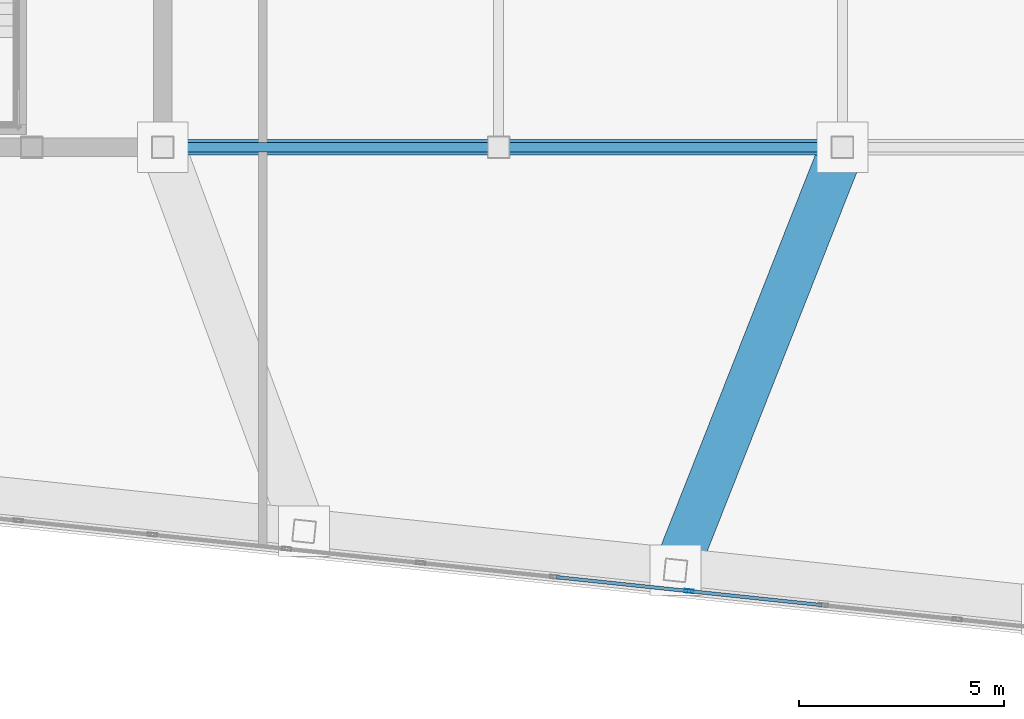
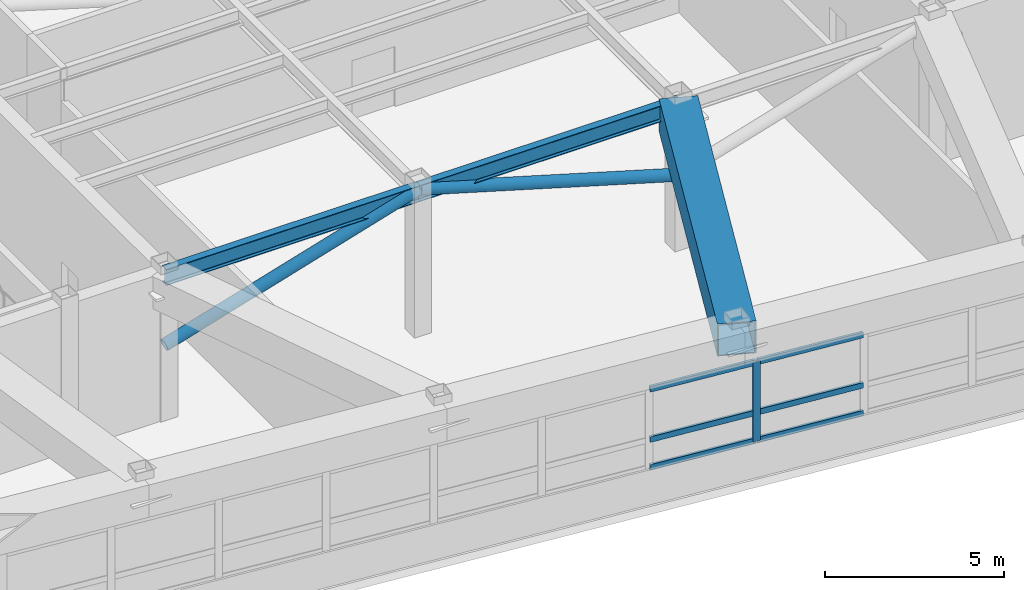
# One storey, part 5 of 23: 9 members, 3 beams, 1 element without a shape of its own.
"""IFC4 building model written with IfcOpenShell, lengths in metres."""

from ifc_helpers import new_model, si_unit, direction, frame, origin, origin_2d, place, context, subcontext, project, spatial, hollow_rectangle, hollow_circle, i_section, extrude, material, layer, layer_set, material_profile, profile_set, type_object, element, aggregate, save


model = new_model("IFC4")

# Units and contexts
model_context = context("Model", 3, precision=1e-05, world=origin(), true_north=direction((0.0, 1.0)))
body_context = subcontext(model_context, "Body", "Model", "MODEL_VIEW")
ifc_project = project(units=[si_unit("LENGTHUNIT", "METRE"), si_unit("AREAUNIT", "SQUARE_METRE"), si_unit("VOLUMEUNIT", "CUBIC_METRE"), si_unit("PLANEANGLEUNIT", "RADIAN"), si_unit("MASSUNIT", "GRAM", prefix="KILO")], contexts=[model_context])

# Site, building, storey
site_placement = place(None, origin())
site = spatial("IfcSite", under=ifc_project, at=site_placement, CompositionType="ELEMENT")
building_placement = place(site_placement, origin())
building = spatial("IfcBuilding", under=site, at=building_placement, Name="Voryun Gate Residences", CompositionType="ELEMENT")
storey_placement = place(building_placement, frame((0.0, 0.0, 316.0)))
storey = spatial("IfcBuildingStorey", under=building, at=storey_placement, Name="L78", CompositionType="ELEMENT", Elevation=316.0)

# Beams
ifc_material_1 = material(Name="Steel SM420", Category="steel")
ifc_material_profile_1 = material_profile(ifc_material_1, hollow_rectangle(XDim=1.10009765625, YDim=1.10009765625, WallThickness=0.035888671875, at=origin_2d()), Name="BOX-1100x1100x36")
ifc_profile_set_1 = profile_set([ifc_material_profile_1], Name="Steel SM420")
beam_type_1 = type_object("IfcBeamType", Name="BM_ARCH_RIB", PredefinedType="USERDEFINED", material=ifc_profile_set_1)
beam_1_placement = place(storey_placement, frame((4.199951171875, -7.39990234375, 4.47509765625), z_axis=(-0.367188053127, -0.930146726942, 0.0), x_axis=(0.930146726942, -0.367188053127, 0.0)))
element("IfcBeam", 1, at=beam_1_placement, inside=storey, type_object=beam_type_1, Name="BM-L78-RAD-S4", ObjectType="GIRDER", PredefinedType="USERDEFINED", context=body_context, shape_type="SweptSolid", body=[
    extrude(hollow_rectangle(XDim=1.10009765625, YDim=1.10009765625, WallThickness=0.035888671875, at=origin_2d()), origin(), (0.0, 0.0, 1.0), 11.107666015625),
])
ifc_material_2 = material(Name="Steel SM355", Category="steel")
ifc_material_profile_2 = material_profile(ifc_material_2, i_section(OverallWidth=0.239990234375, OverallDepth=0.550048828125, WebThickness=0.011962890625, FlangeThickness=0.02001953125, FilletRadius=0.01806640625, at=origin_2d()), Name="H-550x240x12x20")
ifc_profile_set_2 = profile_set([ifc_material_profile_2], Name="Steel SM355")
beam_type_2 = type_object("IfcBeamType", Name="BM_GIRD_550", PredefinedType="USERDEFINED", material=ifc_profile_set_2)
beam_2_placement = place(storey_placement, frame((-12.39990234375, -7.39990234375, 4.75), z_axis=(1.0, 0.0, 0.0), x_axis=(0.0, 1.0, 0.0)))
element("IfcBeam", 2, at=beam_2_placement, inside=storey, type_object=beam_type_2, Name="BM-L78-SPG1-S", ObjectType="GIRDER", PredefinedType="USERDEFINED", context=body_context, shape_type="SweptSolid", body=[
    extrude(i_section(OverallWidth=0.239990234375, OverallDepth=0.550048828125, WebThickness=0.011962890625, FlangeThickness=0.02001953125, FilletRadius=0.01806640625, at=origin_2d()), origin(), (0.0, 0.0, 1.0), 8.199951171875),
])
beam_3_placement = place(storey_placement, frame((-4.199951171875, -7.39990234375, 4.75), z_axis=(1.0, 0.0, 0.0), x_axis=(0.0, 1.0, 0.0)))
element("IfcBeam", 3, at=beam_3_placement, inside=storey, type_object=beam_type_2, Name="BM-L78-SPG2-S", ObjectType="GIRDER", PredefinedType="USERDEFINED", context=body_context, shape_type="SweptSolid", body=[
    extrude(i_section(OverallWidth=0.239990234375, OverallDepth=0.550048828125, WebThickness=0.011962890625, FlangeThickness=0.02001953125, FilletRadius=0.01806640625, at=origin_2d()), origin(), (0.0, 0.0, 1.0), 8.39990234375),
])

# Curtain wall, members
ifc_material_3 = material(Name="Anodised aluminium", Category="aluminium")
ifc_layer = layer(ifc_material_3, 0.22998046875, Name="CW_SYS_LANTERN_DARK_GLASS")
ifc_layer_set = layer_set([ifc_layer], Name="Anodised aluminium")
curtain_wall_type = type_object("IfcCurtainWallType", Name="CW_SYS_LANTERN_DARK_GLASS", PredefinedType="NOTDEFINED", material=ifc_layer_set)
curtain_wall_placement = place(storey_placement, origin())
curtain_wall = element("IfcCurtainWall", 4, at=curtain_wall_placement, inside=storey, type_object=curtain_wall_type, Name="Curtain wall CW6-L78-01", PredefinedType="NOTDEFINED")
ifc_material_4 = material(Name="Anodised aluminium", Category="aluminium")
ifc_material_profile_3 = material_profile(ifc_material_4, hollow_rectangle(XDim=0.0849609375, YDim=0.22998046875, WallThickness=0.006103515625, at=origin_2d()), Name="ALU-MULL-230x85x6")
ifc_profile_set_3 = profile_set([ifc_material_profile_3], Name="Anodised aluminium")
member_type_1 = type_object("IfcMemberType", Name="CW_MULL_LANT", PredefinedType="MULLION", material=ifc_profile_set_3)
member_1_placement = place(storey_placement, frame((0.452392578125, -18.239013671875, 1.18994140625), z_axis=(0.0, 0.0, 1.0), x_axis=(-0.10452775858, -0.994521969434, 0.0)))
member_1 = element("IfcMember", 5, at=member_1_placement, type_object=member_type_1, Name="CW6 mullion 6", PredefinedType="MULLION", context=body_context, shape_type="SweptSolid", body=[
    extrude(hollow_rectangle(XDim=0.0849609375, YDim=0.22998046875, WallThickness=0.006103515625, at=origin_2d()), origin(), (0.0, 0.0, 1.0), 2.72509765625),
])
ifc_material_5 = material(Name="Anodised aluminium", Category="aluminium")
ifc_material_profile_4 = material_profile(ifc_material_5, hollow_rectangle(XDim=0.0849609375, YDim=0.18994140625, WallThickness=0.006103515625, at=origin_2d()), Name="ALU-TRAN-190x85x6")
ifc_profile_set_4 = profile_set([ifc_material_profile_4], Name="Anodised aluminium")
member_type_2 = type_object("IfcMemberType", Name="CW_TRAN_LANT", PredefinedType="USERDEFINED", material=ifc_profile_set_4)
member_2_placement = place(storey_placement, frame((3.698974609375, -18.580322265625, 1.219970703125), z_axis=(-0.994520745033, 0.104539407398, 0.0), x_axis=(-0.104539407398, -0.994520745033, 0.0)))
member_2 = element("IfcMember", 6, at=member_2_placement, type_object=member_type_2, Name="CW6 transom 5.1", ObjectType="TRANSOM", PredefinedType="USERDEFINED", context=body_context, shape_type="SweptSolid", body=[
    extrude(hollow_rectangle(XDim=0.0849609375, YDim=0.18994140625, WallThickness=0.006103515625, at=origin_2d()), origin(), (0.0, 0.0, 1.0), 3.234619140625),
])
member_3_placement = place(storey_placement, frame((3.698974609375, -18.580322265625, 2.1708984375), z_axis=(-0.994520745033, 0.104539407398, 0.0), x_axis=(-0.104539407398, -0.994520745033, 0.0)))
member_3 = element("IfcMember", 7, at=member_3_placement, type_object=member_type_2, Name="CW6 transom 5.2", ObjectType="TRANSOM", PredefinedType="USERDEFINED", context=body_context, shape_type="SweptSolid", body=[
    extrude(hollow_rectangle(XDim=0.0849609375, YDim=0.18994140625, WallThickness=0.006103515625, at=origin_2d()), origin(), (0.0, 0.0, 1.0), 3.234619140625),
])
member_4_placement = place(storey_placement, frame((3.698974609375, -18.580322265625, 3.885009765625), z_axis=(-0.994520745033, 0.104539407398, 0.0), x_axis=(-0.104539407398, -0.994520745033, 0.0)))
member_4 = element("IfcMember", 8, at=member_4_placement, type_object=member_type_2, Name="CW6 transom 5.3", ObjectType="TRANSOM", PredefinedType="USERDEFINED", context=body_context, shape_type="SweptSolid", body=[
    extrude(hollow_rectangle(XDim=0.0849609375, YDim=0.18994140625, WallThickness=0.006103515625, at=origin_2d()), origin(), (0.0, 0.0, 1.0), 3.234619140625),
])
member_5_placement = place(storey_placement, frame((0.42236328125, -18.23583984375, 1.219970703125), z_axis=(-0.994520745033, 0.104539407398, 0.0), x_axis=(-0.104539407398, -0.994520745033, 0.0)))
member_5 = element("IfcMember", 9, at=member_5_placement, type_object=member_type_2, Name="CW6 transom 6.1", ObjectType="TRANSOM", PredefinedType="USERDEFINED", context=body_context, shape_type="SweptSolid", body=[
    extrude(hollow_rectangle(XDim=0.0849609375, YDim=0.18994140625, WallThickness=0.006103515625, at=origin_2d()), origin(), (0.0, 0.0, 1.0), 3.234619140625),
])
member_6_placement = place(storey_placement, frame((0.42236328125, -18.23583984375, 2.1708984375), z_axis=(-0.994520745033, 0.104539407398, 0.0), x_axis=(-0.104539407398, -0.994520745033, 0.0)))
member_6 = element("IfcMember", 10, at=member_6_placement, type_object=member_type_2, Name="CW6 transom 6.2", ObjectType="TRANSOM", PredefinedType="USERDEFINED", context=body_context, shape_type="SweptSolid", body=[
    extrude(hollow_rectangle(XDim=0.0849609375, YDim=0.18994140625, WallThickness=0.006103515625, at=origin_2d()), origin(), (0.0, 0.0, 1.0), 3.234619140625),
])
member_7_placement = place(storey_placement, frame((0.42236328125, -18.23583984375, 3.885009765625), z_axis=(-0.994520745033, 0.104539407398, 0.0), x_axis=(-0.104539407398, -0.994520745033, 0.0)))
member_7 = element("IfcMember", 11, at=member_7_placement, type_object=member_type_2, Name="CW6 transom 6.3", ObjectType="TRANSOM", PredefinedType="USERDEFINED", context=body_context, shape_type="SweptSolid", body=[
    extrude(hollow_rectangle(XDim=0.0849609375, YDim=0.18994140625, WallThickness=0.006103515625, at=origin_2d()), origin(), (0.0, 0.0, 1.0), 3.234619140625),
])
aggregate(curtain_wall, [member_1, member_2, member_3, member_4, member_5, member_6, member_7])

# Members
ifc_material_6 = material(Name="Steel SM355", Category="steel")
ifc_material_profile_5 = material_profile(ifc_material_6, hollow_circle(Radius=0.18994140625, WallThickness=0.01806640625, at=origin_2d()), Name="CHS-380x18")
ifc_profile_set_5 = profile_set([ifc_material_profile_5], Name="Steel SM355")
member_type_3 = type_object("IfcMemberType", Name="MBR_CROWN_DIAGRID", PredefinedType="BRACE", material=ifc_profile_set_5)
member_8_placement = place(storey_placement, frame((-12.39990234375, -7.39990234375, 2.3798828125), z_axis=(0.957662114733, 0.0, 0.287894553621), x_axis=(0.0, 1.0, 0.0)))
element("IfcMember", 12, at=member_8_placement, inside=storey, type_object=member_type_3, Name="L78 Lantern Spine Diagrid Brace 01", PredefinedType="BRACE", context=body_context, shape_type="SweptSolid", body=[
    extrude(hollow_circle(Radius=0.18994140625, WallThickness=0.01806640625, at=origin_2d()), origin(), (0.0, 0.0, 1.0), 8.5625),
])
member_9_placement = place(storey_placement, frame((4.199951171875, -7.39990234375, 2.3798828125), z_axis=(-0.959534525743, 0.0, 0.281591004663), x_axis=(0.0, -1.0, 0.0)))
element("IfcMember", 13, at=member_9_placement, inside=storey, type_object=member_type_3, Name="L78 Lantern Spine Diagrid Brace 02", PredefinedType="BRACE", context=body_context, shape_type="SweptSolid", body=[
    extrude(hollow_circle(Radius=0.18994140625, WallThickness=0.01806640625, at=origin_2d()), origin(), (0.0, 0.0, 1.0), 8.754150390625),
])

save(model, "model.ifc")
